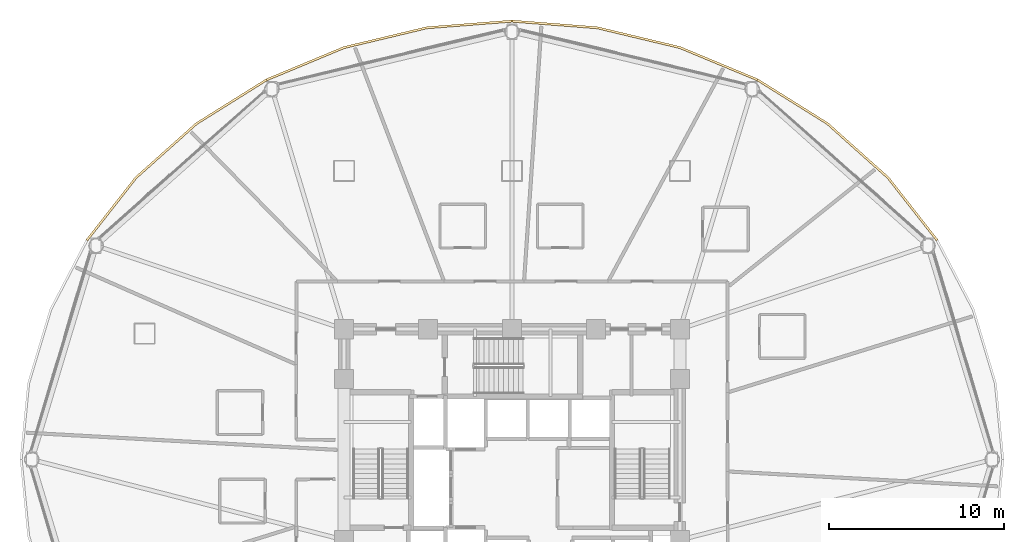
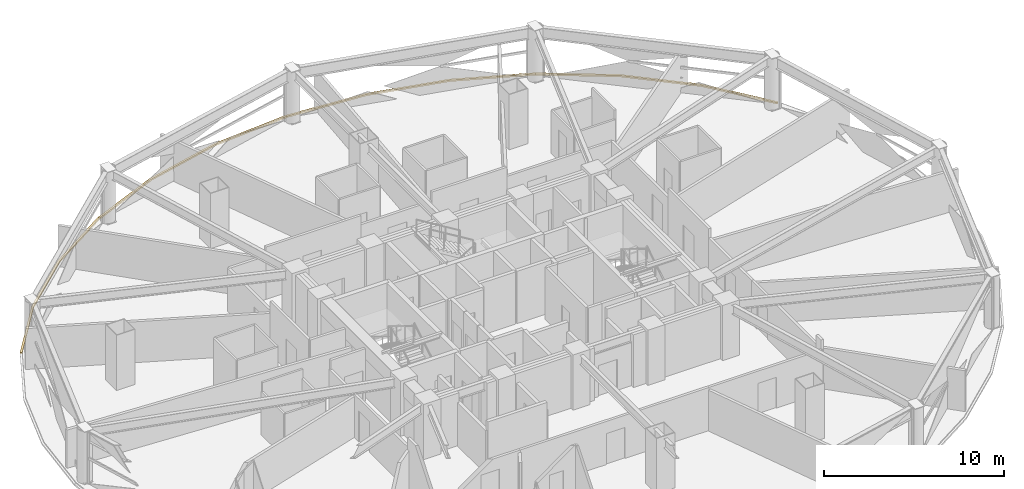
# One storey, part 29 of 29: 4 coverings.
"""IFC4 building model written with IfcOpenShell, lengths in metres."""

from ifc_helpers import new_model, si_unit, direction, frame, origin, place, context, subcontext, project, spatial, polyline, outline, extrude, material, layer, layer_set, type_object, element, save


model = new_model("IFC4")

# Units and contexts
model_context = context("Model", 3, precision=1e-05, world=origin(), true_north=direction((0.0, 1.0)))
body_context = subcontext(model_context, "Body", "Model", "MODEL_VIEW")
ifc_project = project(units=[si_unit("LENGTHUNIT", "METRE"), si_unit("AREAUNIT", "SQUARE_METRE"), si_unit("VOLUMEUNIT", "CUBIC_METRE"), si_unit("PLANEANGLEUNIT", "RADIAN"), si_unit("MASSUNIT", "GRAM", prefix="KILO")], contexts=[model_context])

# Site, building, storey
site_placement = place(None, origin())
site = spatial("IfcSite", under=ifc_project, at=site_placement, CompositionType="ELEMENT")
building_placement = place(site_placement, origin())
building = spatial("IfcBuilding", under=site, at=building_placement, Name="Vantalir Tower", CompositionType="ELEMENT")
storey_placement = place(building_placement, frame((0.0, 0.0, 60.75)))
storey = spatial("IfcBuildingStorey", under=building, at=storey_placement, Name="L14", CompositionType="ELEMENT", Elevation=60.75)

# Coverings
ifc_material = material(Name="Anodised champagne aluminium sill fascia", Category="aluminium")
ifc_layer = layer(ifc_material, 0.125)
ifc_layer_set = layer_set([ifc_layer], Name="Anodised champagne aluminium sill fascia")
covering_type = type_object("IfcCoveringType", Name="COV-SLAB-FASCIA-125", PredefinedType="CLADDING", material=ifc_layer_set)
covering_1_placement = place(storey_placement, frame((0.0, 0.0, -0.179931640625)))
element("IfcCovering", 1, at=covering_1_placement, inside=storey, type_object=covering_type, Name="L14 Perimeter Slab-Edge Sill Fascia 02", PredefinedType="CLADDING", context=body_context, shape_type="SweptSolid", body=[
    extrude(outline(polyline([(55.85791015625, 37.56298828125), (53.0458984375, 41.15087890625), (49.5791015625, 44.248046875), (45.56298828125, 46.760009765625), (45.5009765625, 46.652099609375), (49.4990234375, 44.152099609375), (52.949951171875, 41.070068359375), (55.75, 37.5), (55.85791015625, 37.56298828125)])), origin(), (0.0, 0.0, 1.0), 0.10498046875),
])
covering_2_placement = place(storey_placement, frame((0.0, 0.0, -0.179931640625)))
element("IfcCovering", 2, at=covering_2_placement, inside=storey, type_object=covering_type, Name="L14 Perimeter Slab-Edge Sill Fascia 03", PredefinedType="CLADDING", context=body_context, shape_type="SweptSolid", body=[
    extrude(outline(polyline([(45.56298828125, 46.760009765625), (41.1201171875, 48.611083984375), (36.384033203125, 49.743896484375), (31.5, 50.1259765625), (31.5, 50.0009765625), (36.362060546875, 49.62109375), (41.076904296875, 48.492919921875), (45.5009765625, 46.652099609375), (45.56298828125, 46.760009765625)])), origin(), (0.0, 0.0, 1.0), 0.10498046875),
])
covering_3_placement = place(storey_placement, frame((0.0, 0.0, -0.179931640625)))
element("IfcCovering", 3, at=covering_3_placement, inside=storey, type_object=covering_type, Name="L14 Perimeter Slab-Edge Sill Fascia 04", PredefinedType="CLADDING", context=body_context, shape_type="SweptSolid", body=[
    extrude(outline(polyline([(31.5, 50.1259765625), (26.615966796875, 49.743896484375), (21.8798828125, 48.611083984375), (17.43701171875, 46.760009765625), (17.5, 46.652099609375), (21.923095703125, 48.492919921875), (26.637939453125, 49.62109375), (31.5, 50.0009765625), (31.5, 50.1259765625)])), origin(), (0.0, 0.0, 1.0), 0.10498046875),
])
covering_4_placement = place(storey_placement, frame((0.0, 0.0, -0.179931640625)))
element("IfcCovering", 4, at=covering_4_placement, inside=storey, type_object=covering_type, Name="L14 Perimeter Slab-Edge Sill Fascia 05", PredefinedType="CLADDING", context=body_context, shape_type="SweptSolid", body=[
    extrude(outline(polyline([(17.43701171875, 46.760009765625), (13.4208984375, 44.248046875), (9.9541015625, 41.15087890625), (7.14208984375, 37.56298828125), (7.25, 37.5), (10.050048828125, 41.070068359375), (13.5009765625, 44.152099609375), (17.5, 46.652099609375), (17.43701171875, 46.760009765625)])), origin(), (0.0, 0.0, 1.0), 0.10498046875),
])

save(model, "model.ifc")
